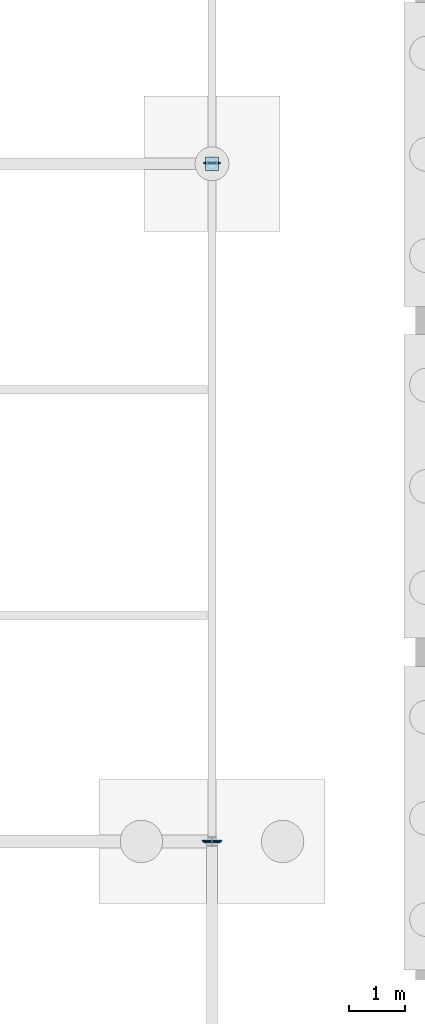
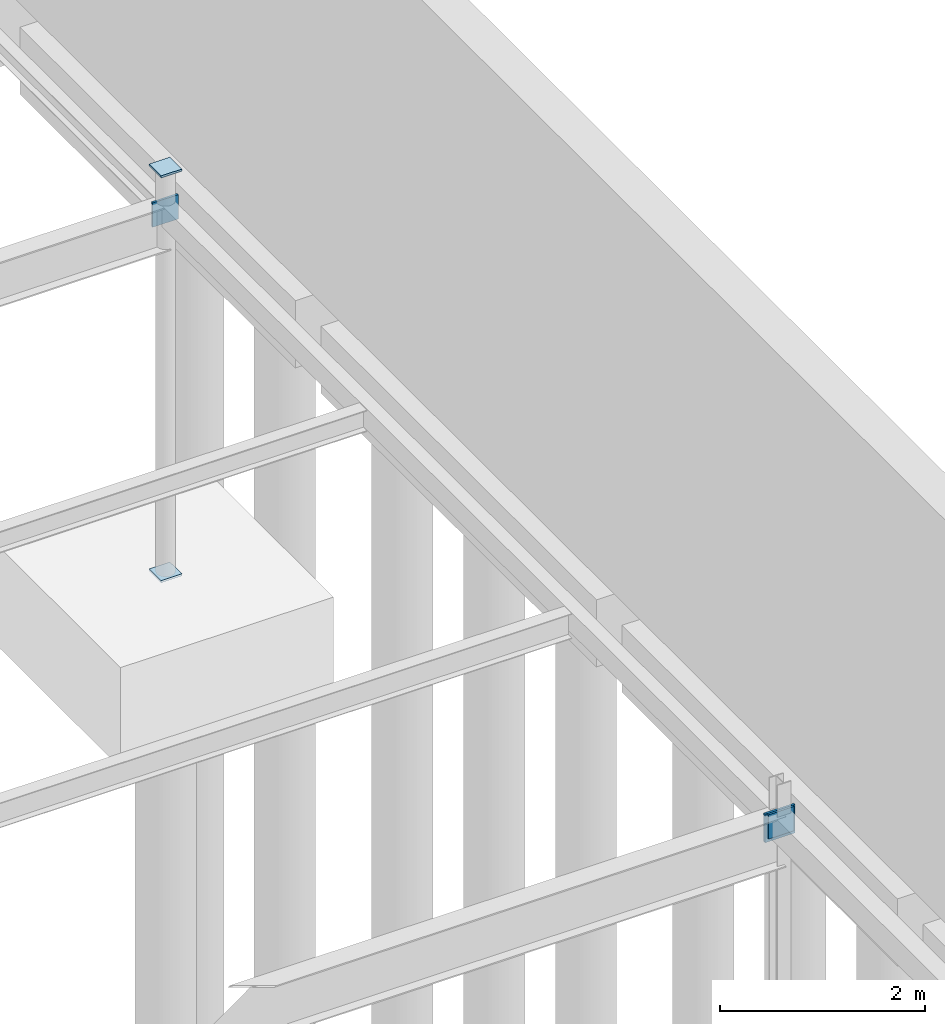
# One storey, part 107 of 136: 5 plates.
"""IFC4 building model written with IfcOpenShell, lengths in metres."""

from ifc_helpers import new_model, si_unit, direction, frame, origin, origin_2d, place, context, subcontext, project, spatial, rectangle, extrude, material, layer, layer_set, type_object, element, save


model = new_model("IFC4")

# Units and contexts
model_context = context("Model", 3, precision=1e-05, world=origin(), true_north=direction((0.0, 1.0)))
body_context = subcontext(model_context, "Body", "Model", "MODEL_VIEW")
ifc_project = project(units=[si_unit("LENGTHUNIT", "METRE"), si_unit("AREAUNIT", "SQUARE_METRE"), si_unit("VOLUMEUNIT", "CUBIC_METRE"), si_unit("PLANEANGLEUNIT", "RADIAN"), si_unit("MASSUNIT", "GRAM", prefix="KILO")], contexts=[model_context])

# Site, building, storey
site_placement = place(None, origin())
site = spatial("IfcSite", under=ifc_project, at=site_placement, CompositionType="ELEMENT")
building_placement = place(site_placement, origin())
building = spatial("IfcBuilding", under=site, at=building_placement, Name="Tarnwether General Hospital", CompositionType="ELEMENT")
storey_placement = place(building_placement, frame((0.0, 0.0, -4.800048828125)))
storey = spatial("IfcBuildingStorey", under=building, at=storey_placement, Name="LG", CompositionType="ELEMENT", Elevation=-4.800048828125)

# Plates
ifc_material = material(Name="Steel Grade 350 (350 MPa)", Category="steel")
ifc_layer = layer(ifc_material, 0.02490234375)
ifc_layer_set = layer_set([ifc_layer], Name="Steel Grade 350 (350 MPa)")
plate_type = type_object("IfcPlateType", Name="PT-GUS2", PredefinedType="USERDEFINED", material=ifc_layer_set)
for number, where, z_axis, x_axis, name in (
    (1, (192.0, 45.60009765625, -0.02490234375), (0.0, 0.0, 1.0), (1.0, 0.0, 0.0), "Hollow Section Welded End Cap Plate 0411"),
    (2, (192.0, 45.60009765625, 4.800048828125), (0.0, 0.0, 1.0), (1.0, 0.0, 0.0), "Hollow Section Welded End Cap Plate 0412"),
):
    element("IfcPlate", number, at=place(storey_placement, frame(where, z_axis=z_axis, x_axis=x_axis)), inside=storey, type_object=plate_type, Name=name, ObjectType="GUSSET", PredefinedType="USERDEFINED", context=body_context, shape_type="SweptSolid", body=[
        extrude(rectangle(XDim=0.23388671875, YDim=0.23388671875, at=origin_2d()), origin(), (0.0, 0.0, 1.0), 0.02490234375),
    ])
plate_placement = place(storey_placement, frame((192.0, 33.612548828125, 4.10009765625), z_axis=(0.0, 0.0, 1.0), x_axis=(0.0, 1.0, 0.0)))
element("IfcPlate", 3, at=plate_placement, inside=storey, type_object=plate_type, Name="Hollow Section Welded End Cap Plate 0848", ObjectType="GUSSET", PredefinedType="USERDEFINED", context=body_context, shape_type="SweptSolid", body=[
    extrude(rectangle(XDim=0.02490234375, YDim=0.340087890625, at=origin_2d()), origin(), (0.0, 0.0, 1.0), 0.340087890625),
])
for number, where, z_axis, x_axis, name in (
    (4, (192.0, 33.58740234375, 4.150146484375), (0.0, 0.0, 1.0), (0.0, 1.0, 0.0), "Hollow Section Welded End Cap Plate 0849"),
    (5, (192.0, 45.612548828125, 4.150146484375), (0.0, 0.0, 1.0), (0.0, 1.0, 0.0), "Hollow Section Welded End Cap Plate 0850"),
):
    element("IfcPlate", number, at=place(storey_placement, frame(where, z_axis=z_axis, x_axis=x_axis)), inside=storey, type_object=plate_type, Name=name, ObjectType="GUSSET", PredefinedType="USERDEFINED", context=body_context, shape_type="SweptSolid", body=[
        extrude(rectangle(XDim=0.02490234375, YDim=0.2900390625, at=origin_2d()), origin(), (0.0, 0.0, 1.0), 0.2900390625),
    ])

save(model, "model.ifc")
